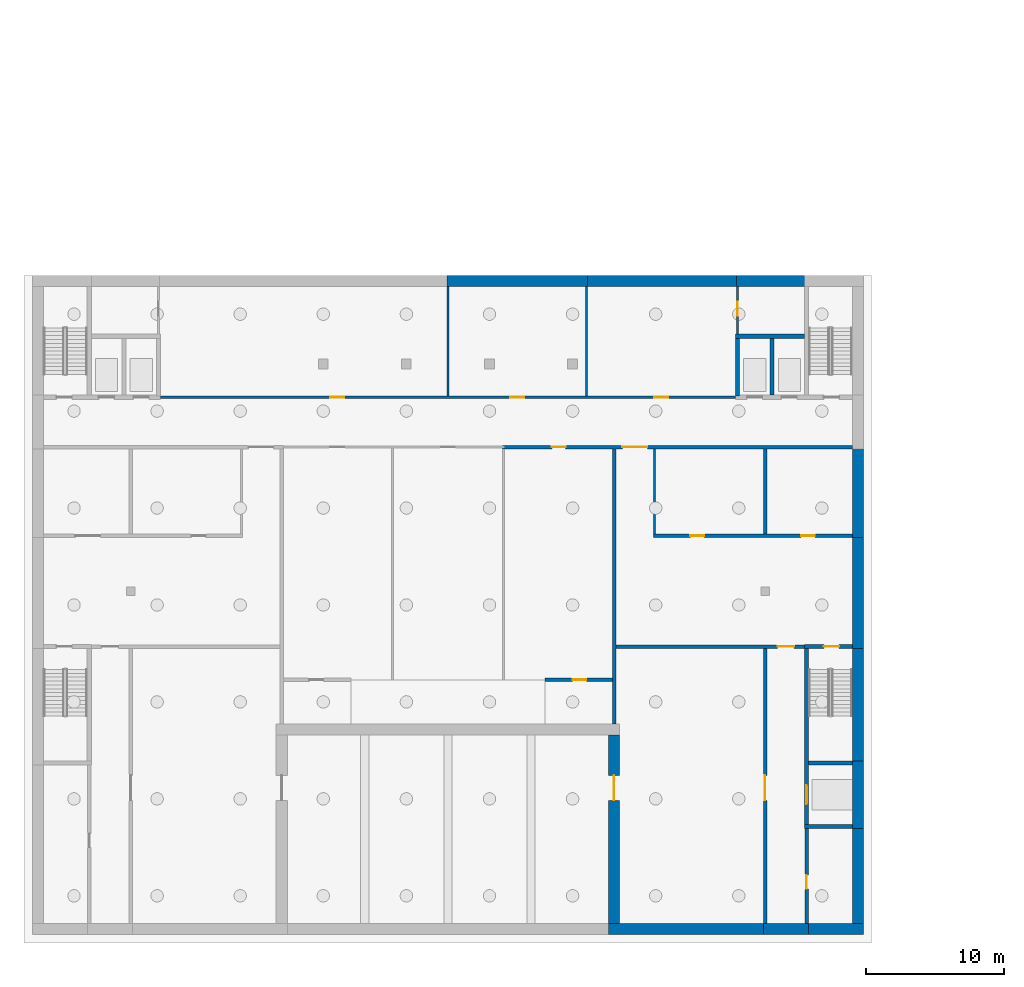
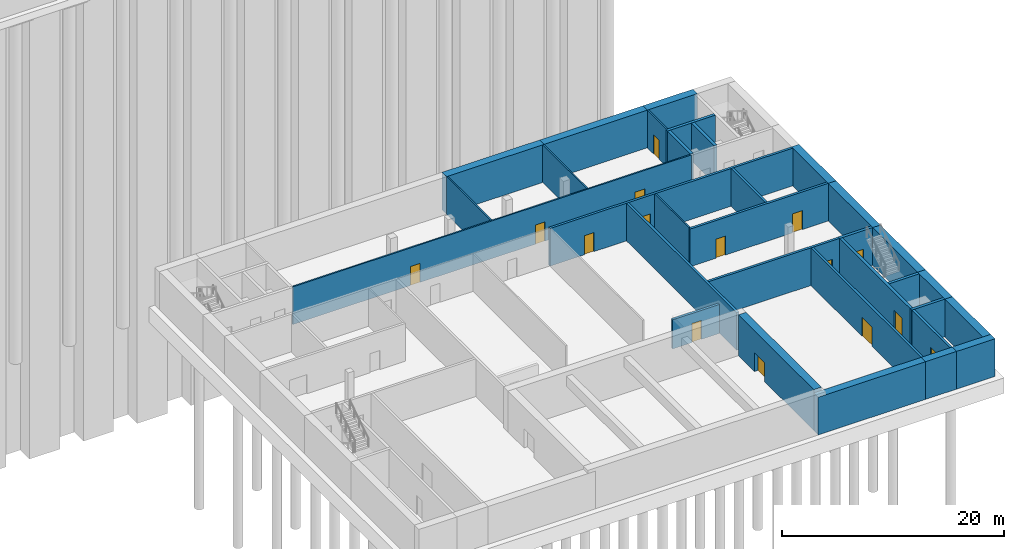
# One storey, part 7 of 23: 32 walls, 15 doors, 15 openings.
"""IFC4 building model written with IfcOpenShell, lengths in metres."""

from ifc_helpers import new_model, si_unit, direction, frame, frame_2d, origin, place, context, subcontext, project, spatial, rectangle, extrude, material, layer, layer_set, type_object, element, fill, save


model = new_model("IFC4")

# Units and contexts
model_context = context("Model", 3, precision=1e-05, world=origin(), true_north=direction((0.0, 1.0)))
body_context = subcontext(model_context, "Body", "Model", "MODEL_VIEW")
ifc_project = project(units=[si_unit("LENGTHUNIT", "METRE"), si_unit("AREAUNIT", "SQUARE_METRE"), si_unit("VOLUMEUNIT", "CUBIC_METRE"), si_unit("PLANEANGLEUNIT", "RADIAN"), si_unit("MASSUNIT", "GRAM", prefix="KILO")], contexts=[model_context])

# Site, building, storey
site_placement = place(None, origin())
site = spatial("IfcSite", under=ifc_project, at=site_placement, CompositionType="ELEMENT")
building_placement = place(site_placement, origin())
building = spatial("IfcBuilding", under=site, at=building_placement, Name="Kiln Ring Residences", CompositionType="ELEMENT")
storey_placement = place(building_placement, frame((0.0, 0.0, -4.5)))
storey = spatial("IfcBuildingStorey", under=building, at=storey_placement, Name="B1", CompositionType="ELEMENT", Elevation=-4.5)

# Wall, opening, door
ifc_material_1 = material(Name="Concrete C40/50", Category="concrete")
ifc_layer_1 = layer(ifc_material_1, 0.800048828125)
ifc_layer_set_1 = layer_set([ifc_layer_1], Name="Hall Board-marked concrete C40/50 hall wall 800 internal")
wall_type_1 = type_object("IfcWallType", Name="Hall Board-marked concrete C40/50 hall wall 800 internal", PredefinedType="SOLIDWALL", material=ifc_layer_set_1)
wall_1_placement = place(storey_placement, frame((12.0, -159.199951171875, 0.0), z_axis=(0.0, 0.0, 1.0), x_axis=(0.0, 1.0, 0.0)))
wall_1 = element("IfcWall", 1, at=wall_1_placement, inside=storey, type_object=wall_type_1, Name="Hall wall B1 56", PredefinedType="SOLIDWALL", context=body_context, shape_type="SweptSolid", body=[
    extrude(rectangle(XDim=13.599853515625, YDim=0.800048828125, at=frame_2d((6.7998046875, 0.0))), origin(), (0.0, 0.0, 1.0), 4.5),
])
opening_1_placement = place(wall_1_placement, frame((8.89990234375, 0.0, 0.0)))
opening_1 = element("IfcOpeningElement", 2, at=opening_1_placement, cuts=wall_1, Name="Opening B1-33", PredefinedType="OPENING", context=body_context, shape_type="SweptSolid", body=[
    extrude(rectangle(XDim=1.800048828125, YDim=2.10009765625, at=frame_2d((0.89990234375, 1.050048828125))), frame((0.0, 0.409912109375, 0.0), z_axis=(0.0, -1.0, 0.0), x_axis=(1.0, 0.0, 0.0)), (0.0, 0.0, 1.0), 0.820068359375),
])
ifc_material_2 = material(Name="Steel door leaf", Category="steel")
door_type_1 = type_object("IfcDoorType", Name="Hall Double door 1800 x 2100", OperationType="DOUBLE_DOOR_SINGLE_SWING", PredefinedType="DOOR", material=ifc_material_2)
door_1_placement = place(opening_1_placement, origin())
door_1 = element("IfcDoor", 3, at=door_1_placement, inside=storey, type_object=door_type_1, Name="Hall door B1-33", OperationType="DOUBLE_DOOR_SINGLE_SWING", OverallHeight=2.10009765625, OverallWidth=1.800048828125, PredefinedType="DOOR", context=body_context, shape_type="SweptSolid", body=[
    extrude(rectangle(XDim=1.800048828125, YDim=2.10009765625, at=frame_2d((0.89990234375, 1.050048828125))), frame((0.0, 0.02490234375, 0.0), z_axis=(0.0, -1.0, 0.0), x_axis=(1.0, 0.0, 0.0)), (0.0, 0.0, 1.0), 0.050048828125),
])
fill(opening_1, door_1)

# Walls
ifc_material_3 = material(Name="Concrete C40/50", Category="concrete")
ifc_layer_2 = layer(ifc_material_3, 0.800048828125)
ifc_layer_set_2 = layer_set([ifc_layer_2], Name="Hall Exposed brick-faced reinforced concrete C40/50 wall 800")
wall_type_2 = type_object("IfcWallType", Name="Hall Exposed brick-faced reinforced concrete C40/50 wall 800", PredefinedType="SOLIDWALL", material=ifc_layer_set_2)
wall_2_placement = place(storey_placement, frame((11.60009765625, -159.60009765625, 0.0), z_axis=(0.0, 0.0, 1.0), x_axis=(1.0, 0.0, 0.0)))
element("IfcWall", 4, at=wall_2_placement, inside=storey, type_object=wall_type_2, Name="Hall wall B1 5", PredefinedType="SOLIDWALL", context=body_context, shape_type="SweptSolid", body=[
    extrude(rectangle(XDim=11.4248046875, YDim=0.800048828125, at=frame_2d((5.71240234375, 0.0))), origin(), (0.0, 0.0, 1.0), 4.14990234375),
])
wall_3_placement = place(storey_placement, frame((22.775146484375, -159.60009765625, 0.0), z_axis=(0.0, 0.0, 1.0), x_axis=(1.0, 0.0, 0.0)))
element("IfcWall", 5, at=wall_3_placement, inside=storey, type_object=wall_type_2, Name="Hall wall B1 6", PredefinedType="SOLIDWALL", context=body_context, shape_type="SweptSolid", body=[
    extrude(rectangle(XDim=3.249755859375, YDim=0.800048828125, at=frame_2d((1.625, 0.0))), origin(), (0.0, 0.0, 1.0), 4.14990234375),
])
wall_4_placement = place(storey_placement, frame((25.775146484375, -159.60009765625, 0.0), z_axis=(0.0, 0.0, 1.0), x_axis=(1.0, 0.0, 0.0)))
element("IfcWall", 6, at=wall_4_placement, inside=storey, type_object=wall_type_2, Name="Hall wall B1 7", PredefinedType="SOLIDWALL", context=body_context, shape_type="SweptSolid", body=[
    extrude(rectangle(XDim=4.224853515625, YDim=0.800048828125, at=frame_2d((2.1123046875, 0.0))), origin(), (0.0, 0.0, 1.0), 4.14990234375),
])
wall_5_placement = place(storey_placement, frame((-0.074951171875, -112.800048828125, 0.0), z_axis=(0.0, 0.0, 1.0), x_axis=(1.0, 0.0, 0.0)))
element("IfcWall", 7, at=wall_5_placement, inside=storey, type_object=wall_type_2, Name="Hall wall B1 31", PredefinedType="SOLIDWALL", context=body_context, shape_type="SweptSolid", body=[
    extrude(rectangle(XDim=10.14990234375, YDim=0.800048828125, at=frame_2d((5.074951171875, 0.0))), origin(), (0.0, 0.0, 1.0), 4.14990234375),
])
wall_6_placement = place(storey_placement, frame((9.925048828125, -112.800048828125, 0.0), z_axis=(0.0, 0.0, 1.0), x_axis=(1.0, 0.0, 0.0)))
element("IfcWall", 8, at=wall_6_placement, inside=storey, type_object=wall_type_2, Name="Hall wall B1 32", PredefinedType="SOLIDWALL", context=body_context, shape_type="SweptSolid", body=[
    extrude(rectangle(XDim=11.0498046875, YDim=0.800048828125, at=frame_2d((5.52490234375, 0.0))), origin(), (0.0, 0.0, 1.0), 4.14990234375),
])
wall_7_placement = place(storey_placement, frame((20.8251953125, -112.800048828125, 0.0), z_axis=(0.0, 0.0, 1.0), x_axis=(1.0, 0.0, 0.0)))
element("IfcWall", 9, at=wall_7_placement, inside=storey, type_object=wall_type_2, Name="Hall wall B1 33", PredefinedType="SOLIDWALL", context=body_context, shape_type="SweptSolid", body=[
    extrude(rectangle(XDim=5.224609375, YDim=0.800048828125, at=frame_2d((2.6123046875, 0.0))), origin(), (0.0, 0.0, 1.0), 4.14990234375),
])
wall_8_placement = place(storey_placement, frame((29.60009765625, -152.050048828125, 0.0), z_axis=(0.0, 0.0, 1.0), x_axis=(0.0, -1.0, 0.0)))
element("IfcWall", 10, at=wall_8_placement, inside=storey, type_object=wall_type_2, Name="Hall wall B1 67", PredefinedType="SOLIDWALL", context=body_context, shape_type="SweptSolid", body=[
    extrude(rectangle(XDim=7.14990234375, YDim=0.800048828125, at=frame_2d((3.574951171875, 0.0))), origin(), (0.0, 0.0, 1.0), 4.14990234375),
])
wall_9_placement = place(storey_placement, frame((29.60009765625, -147.4501953125, 0.0), z_axis=(0.0, 0.0, 1.0), x_axis=(0.0, -1.0, 0.0)))
element("IfcWall", 11, at=wall_9_placement, inside=storey, type_object=wall_type_2, Name="Hall wall B1 68", PredefinedType="SOLIDWALL", context=body_context, shape_type="SweptSolid", body=[
    extrude(rectangle(XDim=4.899658203125, YDim=0.800048828125, at=frame_2d((2.44970703125, 0.0))), origin(), (0.0, 0.0, 1.0), 4.14990234375),
])
wall_10_placement = place(storey_placement, frame((29.60009765625, -139.050048828125, 0.0), z_axis=(0.0, 0.0, 1.0), x_axis=(0.0, -1.0, 0.0)))
element("IfcWall", 12, at=wall_10_placement, inside=storey, type_object=wall_type_2, Name="Hall wall B1 69", PredefinedType="SOLIDWALL", context=body_context, shape_type="SweptSolid", body=[
    extrude(rectangle(XDim=8.699951171875, YDim=0.800048828125, at=frame_2d((4.35009765625, 0.0))), origin(), (0.0, 0.0, 1.0), 4.14990234375),
])
wall_11_placement = place(storey_placement, frame((29.60009765625, -131.0751953125, 0.0), z_axis=(0.0, 0.0, 1.0), x_axis=(0.0, -1.0, 0.0)))
element("IfcWall", 13, at=wall_11_placement, inside=storey, type_object=wall_type_2, Name="Hall wall B1 70", PredefinedType="SOLIDWALL", context=body_context, shape_type="SweptSolid", body=[
    extrude(rectangle(XDim=8.274658203125, YDim=0.800048828125, at=frame_2d((4.13720703125, 0.0))), origin(), (0.0, 0.0, 1.0), 4.14990234375),
])
wall_12_placement = place(storey_placement, frame((29.60009765625, -124.675048828125, 0.0), z_axis=(0.0, 0.0, 1.0), x_axis=(0.0, -1.0, 0.0)))
element("IfcWall", 14, at=wall_12_placement, inside=storey, type_object=wall_type_2, Name="Hall wall B1 71", PredefinedType="SOLIDWALL", context=body_context, shape_type="SweptSolid", body=[
    extrude(rectangle(XDim=6.64990234375, YDim=0.800048828125, at=frame_2d((3.324951171875, 0.0))), origin(), (0.0, 0.0, 1.0), 4.14990234375),
])
ifc_material_4 = material(Name="Concrete C40/50", Category="concrete")
ifc_layer_3 = layer(ifc_material_4, 0.300048828125)
ifc_layer_set_3 = layer_set([ifc_layer_3], Name="Hall Reinforced concrete C40/50 core wall 300")
wall_type_3 = type_object("IfcWallType", Name="Hall Reinforced concrete C40/50 core wall 300", PredefinedType="SOLIDWALL", material=ifc_layer_set_3)
wall_13_placement = place(storey_placement, frame((25.75, -152.199951171875, 0.0), z_axis=(0.0, 0.0, 1.0), x_axis=(1.0, 0.0, 0.0)))
element("IfcWall", 15, at=wall_13_placement, inside=storey, type_object=wall_type_3, Name="Hall wall B1 8", PredefinedType="SOLIDWALL", context=body_context, shape_type="SweptSolid", body=[
    extrude(rectangle(XDim=3.449951171875, YDim=0.300048828125, at=frame_2d((1.72509765625, 0.0))), origin(), (0.0, 0.0, 1.0), 4.14990234375),
])
wall_14_placement = place(storey_placement, frame((26.050048828125, -147.60009765625, 0.0), z_axis=(0.0, 0.0, 1.0), x_axis=(1.0, 0.0, 0.0)))
element("IfcWall", 16, at=wall_14_placement, inside=storey, type_object=wall_type_3, Name="Hall wall B1 10", PredefinedType="SOLIDWALL", context=body_context, shape_type="SweptSolid", body=[
    extrude(rectangle(XDim=3.14990234375, YDim=0.300048828125, at=frame_2d((1.574951171875, 0.0))), origin(), (0.0, 0.0, 1.0), 4.14990234375),
])

# Wall, opening, door
wall_15_placement = place(storey_placement, frame((25.75, -139.199951171875, 0.0), z_axis=(0.0, 0.0, 1.0), x_axis=(1.0, 0.0, 0.0)))
wall_15 = element("IfcWall", 17, at=wall_15_placement, inside=storey, type_object=wall_type_3, Name="Hall wall B1 17", PredefinedType="SOLIDWALL", context=body_context, shape_type="SweptSolid", body=[
    extrude(rectangle(XDim=3.449951171875, YDim=0.300048828125, at=frame_2d((1.72509765625, 0.0))), origin(), (0.0, 0.0, 1.0), 4.14990234375),
])
opening_2_placement = place(wall_15_placement, frame((1.39990234375, 0.0, 0.0)))
opening_2 = element("IfcOpeningElement", 18, at=opening_2_placement, cuts=wall_15, Name="Opening B1-09", PredefinedType="OPENING", context=body_context, shape_type="SweptSolid", body=[
    extrude(rectangle(XDim=1.10009765625, YDim=2.10009765625, at=frame_2d((0.550048828125, 1.050048828125))), frame((0.0, 0.159912109375, 0.0), z_axis=(0.0, -1.0, 0.0), x_axis=(1.0, 0.0, 0.0)), (0.0, 0.0, 1.0), 0.320068359375),
])
ifc_material_5 = material(Name="Steel door leaf", Category="steel")
door_type_2 = type_object("IfcDoorType", Name="Hall Stair door 1100 x 2100", OperationType="SINGLE_SWING_LEFT", PredefinedType="DOOR", material=ifc_material_5)
door_2_placement = place(opening_2_placement, origin())
door_2 = element("IfcDoor", 19, at=door_2_placement, inside=storey, type_object=door_type_2, Name="Hall door B1-09", OperationType="SINGLE_SWING_LEFT", OverallHeight=2.10009765625, OverallWidth=1.10009765625, PredefinedType="DOOR", context=body_context, shape_type="SweptSolid", body=[
    extrude(rectangle(XDim=1.10009765625, YDim=2.10009765625, at=frame_2d((0.550048828125, 1.050048828125))), frame((0.0, 0.02490234375, 0.0), z_axis=(0.0, -1.0, 0.0), x_axis=(1.0, 0.0, 0.0)), (0.0, 0.0, 1.0), 0.050048828125),
])
fill(opening_2, door_2)

# Walls
wall_16_placement = place(storey_placement, frame((20.75, -116.800048828125, 0.0), z_axis=(0.0, 0.0, 1.0), x_axis=(1.0, 0.0, 0.0)))
element("IfcWall", 20, at=wall_16_placement, inside=storey, type_object=wall_type_3, Name="Hall wall B1 27", PredefinedType="SOLIDWALL", context=body_context, shape_type="SweptSolid", body=[
    extrude(rectangle(XDim=5.0, YDim=0.300048828125, at=frame_2d((2.5, 0.0))), origin(), (0.0, 0.0, 1.0), 4.14990234375),
])
wall_17_placement = place(storey_placement, frame((20.89990234375, -121.125, 0.0), z_axis=(0.0, 0.0, 1.0), x_axis=(0.0, 1.0, 0.0)))
element("IfcWall", 21, at=wall_17_placement, inside=storey, type_object=wall_type_3, Name="Hall wall B1 59", PredefinedType="SOLIDWALL", context=body_context, shape_type="SweptSolid", body=[
    extrude(rectangle(XDim=4.175048828125, YDim=0.300048828125, at=frame_2d((2.08740234375, 0.0))), origin(), (0.0, 0.0, 1.0), 4.14990234375),
])
wall_18_placement = place(storey_placement, frame((23.39990234375, -121.050048828125, 0.0), z_axis=(0.0, 0.0, 1.0), x_axis=(0.0, 1.0, 0.0)))
element("IfcWall", 22, at=wall_18_placement, inside=storey, type_object=wall_type_3, Name="Hall wall B1 63", PredefinedType="SOLIDWALL", context=body_context, shape_type="SweptSolid", body=[
    extrude(rectangle(XDim=4.10009765625, YDim=0.300048828125, at=frame_2d((2.050048828125, 0.0))), origin(), (0.0, 0.0, 1.0), 4.14990234375),
])

# Wall, opening, door
wall_19_placement = place(storey_placement, frame((25.89990234375, -152.050048828125, 0.0), z_axis=(0.0, 0.0, 1.0), x_axis=(0.0, 1.0, 0.0)))
wall_19 = element("IfcWall", 23, at=wall_19_placement, inside=storey, type_object=wall_type_3, Name="Hall wall B1 65", PredefinedType="SOLIDWALL", context=body_context, shape_type="SweptSolid", body=[
    extrude(rectangle(XDim=12.824951171875, YDim=0.300048828125, at=frame_2d((6.41259765625, 0.0))), origin(), (0.0, 0.0, 1.0), 4.14990234375),
])
opening_3_placement = place(wall_19_placement, frame((1.449951171875, 0.0, 0.0)))
opening_3 = element("IfcOpeningElement", 24, at=opening_3_placement, cuts=wall_19, Name="Opening B1-05", PredefinedType="OPENING", context=body_context, shape_type="SweptSolid", body=[
    extrude(rectangle(XDim=1.39990234375, YDim=2.199951171875, at=frame_2d((0.699951171875, 1.10009765625))), frame((0.0, 0.159912109375, 0.0), z_axis=(0.0, -1.0, 0.0), x_axis=(1.0, 0.0, 0.0)), (0.0, 0.0, 1.0), 0.320068359375),
])
ifc_material_6 = material(Name="Steel door leaf", Category="steel")
door_type_3 = type_object("IfcDoorType", Name="Hall Goods lift landing door 1400 x 2200", OperationType="DOUBLE_DOOR_SLIDING", PredefinedType="DOOR", material=ifc_material_6)
door_3_placement = place(opening_3_placement, origin())
door_3 = element("IfcDoor", 25, at=door_3_placement, inside=storey, type_object=door_type_3, Name="Hall door B1-05", OperationType="DOUBLE_DOOR_SLIDING", OverallHeight=2.199951171875, OverallWidth=1.39990234375, PredefinedType="DOOR", context=body_context, shape_type="SweptSolid", body=[
    extrude(rectangle(XDim=1.39990234375, YDim=2.199951171875, at=frame_2d((0.699951171875, 1.10009765625))), frame((0.0, 0.02490234375, 0.0), z_axis=(0.0, -1.0, 0.0), x_axis=(1.0, 0.0, 0.0)), (0.0, 0.0, 1.0), 0.050048828125),
])
fill(opening_3, door_3)

ifc_material_7 = material(Name="Concrete C40/50", Category="concrete")
ifc_layer_4 = layer(ifc_material_7, 0.25)
ifc_layer_set_4 = layer_set([ifc_layer_4], Name="Hall Reinforced concrete C40/50 wall 250")
wall_type_4 = type_object("IfcWallType", Name="Hall Reinforced concrete C40/50 wall 250", PredefinedType="SOLIDWALL", material=ifc_layer_set_4)
wall_20_placement = place(storey_placement, frame((7.0, -141.60009765625, 0.0), z_axis=(0.0, 0.0, 1.0), x_axis=(1.0, 0.0, 0.0)))
wall_20 = element("IfcWall", 26, at=wall_20_placement, inside=storey, type_object=wall_type_4, Name="Hall wall B1 13", PredefinedType="SOLIDWALL", context=body_context, shape_type="SweptSolid", body=[
    extrude(rectangle(XDim=4.875, YDim=0.25, at=frame_2d((2.4375, 0.0))), origin(), (0.0, 0.0, 1.0), 3.199951171875),
])
opening_4_placement = place(wall_20_placement, frame((2.0, 0.0, 0.0)))
opening_4 = element("IfcOpeningElement", 27, at=opening_4_placement, cuts=wall_20, Name="Opening B1-31", PredefinedType="OPENING", context=body_context, shape_type="SweptSolid", body=[
    extrude(rectangle(XDim=1.0, YDim=2.10009765625, at=frame_2d((0.5, 1.050048828125))), frame((0.0, 0.135009765625, 0.0), z_axis=(0.0, -1.0, 0.0), x_axis=(1.0, 0.0, 0.0)), (0.0, 0.0, 1.0), 0.27001953125),
])
ifc_material_8 = material(Name="Steel door leaf", Category="steel")
door_type_4 = type_object("IfcDoorType", Name="Hall Single door 1000 x 2100", OperationType="SINGLE_SWING_LEFT", PredefinedType="DOOR", material=ifc_material_8)
door_4_placement = place(opening_4_placement, origin())
door_4 = element("IfcDoor", 28, at=door_4_placement, inside=storey, type_object=door_type_4, Name="Hall door B1-31", OperationType="SINGLE_SWING_LEFT", OverallHeight=2.10009765625, OverallWidth=1.0, PredefinedType="DOOR", context=body_context, shape_type="SweptSolid", body=[
    extrude(rectangle(XDim=1.0, YDim=2.10009765625, at=frame_2d((0.5, 1.050048828125))), frame((0.0, 0.02490234375, 0.0), z_axis=(0.0, -1.0, 0.0), x_axis=(1.0, 0.0, 0.0)), (0.0, 0.0, 1.0), 0.050048828125),
])
fill(opening_4, door_4)

wall_21_placement = place(storey_placement, frame((12.125, -139.199951171875, 0.0), z_axis=(0.0, 0.0, 1.0), x_axis=(1.0, 0.0, 0.0)))
wall_21 = element("IfcWall", 29, at=wall_21_placement, inside=storey, type_object=wall_type_4, Name="Hall wall B1 16", PredefinedType="SOLIDWALL", context=body_context, shape_type="SweptSolid", body=[
    extrude(rectangle(XDim=13.625, YDim=0.25, at=frame_2d((6.8125, 0.0))), origin(), (0.0, 0.0, 1.0), 4.14990234375),
])
opening_5_placement = place(wall_21_placement, frame((11.675048828125, 0.0, 0.0)))
opening_5 = element("IfcOpeningElement", 30, at=opening_5_placement, cuts=wall_21, Name="Opening B1-22", PredefinedType="OPENING", context=body_context, shape_type="SweptSolid", body=[
    extrude(rectangle(XDim=1.199951171875, YDim=2.10009765625, at=frame_2d((0.60009765625, 1.050048828125))), frame((0.0, 0.135009765625, 0.0), z_axis=(0.0, -1.0, 0.0), x_axis=(1.0, 0.0, 0.0)), (0.0, 0.0, 1.0), 0.27001953125),
])
ifc_material_9 = material(Name="Steel door leaf", Category="steel")
door_type_5 = type_object("IfcDoorType", Name="Hall Single door 1200 x 2100", OperationType="SINGLE_SWING_LEFT", PredefinedType="DOOR", material=ifc_material_9)
door_5_placement = place(opening_5_placement, origin())
door_5 = element("IfcDoor", 31, at=door_5_placement, inside=storey, type_object=door_type_5, Name="Hall door B1-22", OperationType="SINGLE_SWING_RIGHT", OverallHeight=2.10009765625, OverallWidth=1.199951171875, PredefinedType="DOOR", context=body_context, shape_type="SweptSolid", body=[
    extrude(rectangle(XDim=1.199951171875, YDim=2.10009765625, at=frame_2d((0.60009765625, 1.050048828125))), frame((0.0, 0.02490234375, 0.0), z_axis=(0.0, -1.0, 0.0), x_axis=(1.0, 0.0, 0.0)), (0.0, 0.0, 1.0), 0.050048828125),
])
fill(opening_5, door_5)

# Wall, openings, doors
wall_22_placement = place(storey_placement, frame((14.824951171875, -131.199951171875, 0.0), z_axis=(0.0, 0.0, 1.0), x_axis=(1.0, 0.0, 0.0)))
wall_22 = element("IfcWall", 32, at=wall_22_placement, inside=storey, type_object=wall_type_4, Name="Hall wall B1 19", PredefinedType="SOLIDWALL", context=body_context, shape_type="SweptSolid", body=[
    extrude(rectangle(XDim=14.375, YDim=0.25, at=frame_2d((7.1875, 0.0))), origin(), (0.0, 0.0, 1.0), 4.14990234375),
])
opening_6_placement = place(wall_22_placement, frame((2.675048828125, 0.0, 0.0)))
opening_6 = element("IfcOpeningElement", 33, at=opening_6_placement, cuts=wall_22, Name="Opening B1-19", PredefinedType="OPENING", context=body_context, shape_type="SweptSolid", body=[
    extrude(rectangle(XDim=1.0, YDim=2.10009765625, at=frame_2d((0.5, 1.050048828125))), frame((0.0, 0.135009765625, 0.0), z_axis=(0.0, -1.0, 0.0), x_axis=(1.0, 0.0, 0.0)), (0.0, 0.0, 1.0), 0.27001953125),
])
opening_7_placement = place(wall_22_placement, frame((10.675048828125, 0.0, 0.0)))
opening_7 = element("IfcOpeningElement", 34, at=opening_7_placement, cuts=wall_22, Name="Opening B1-20", PredefinedType="OPENING", context=body_context, shape_type="SweptSolid", body=[
    extrude(rectangle(XDim=1.0, YDim=2.10009765625, at=frame_2d((0.5, 1.050048828125))), frame((0.0, 0.135009765625, 0.0), z_axis=(0.0, -1.0, 0.0), x_axis=(1.0, 0.0, 0.0)), (0.0, 0.0, 1.0), 0.27001953125),
])
door_6_placement = place(opening_6_placement, origin())
door_6 = element("IfcDoor", 35, at=door_6_placement, inside=storey, type_object=door_type_4, Name="Hall door B1-19", OperationType="SINGLE_SWING_LEFT", OverallHeight=2.10009765625, OverallWidth=1.0, PredefinedType="DOOR", context=body_context, shape_type="SweptSolid", body=[
    extrude(rectangle(XDim=1.0, YDim=2.10009765625, at=frame_2d((0.5, 1.050048828125))), frame((0.0, 0.02490234375, 0.0), z_axis=(0.0, -1.0, 0.0), x_axis=(1.0, 0.0, 0.0)), (0.0, 0.0, 1.0), 0.050048828125),
])
fill(opening_6, door_6)
door_7_placement = place(opening_7_placement, origin())
door_7 = element("IfcDoor", 36, at=door_7_placement, inside=storey, type_object=door_type_4, Name="Hall door B1-20", OperationType="SINGLE_SWING_RIGHT", OverallHeight=2.10009765625, OverallWidth=1.0, PredefinedType="DOOR", context=body_context, shape_type="SweptSolid", body=[
    extrude(rectangle(XDim=1.0, YDim=2.10009765625, at=frame_2d((0.5, 1.050048828125))), frame((0.0, 0.02490234375, 0.0), z_axis=(0.0, -1.0, 0.0), x_axis=(1.0, 0.0, 0.0)), (0.0, 0.0, 1.0), 0.050048828125),
])
fill(opening_7, door_7)

wall_23_placement = place(storey_placement, frame((3.925048828125, -124.800048828125, 0.0), z_axis=(0.0, 0.0, 1.0), x_axis=(1.0, 0.0, 0.0)))
wall_23 = element("IfcWall", 37, at=wall_23_placement, inside=storey, type_object=wall_type_4, Name="Hall wall B1 22", PredefinedType="SOLIDWALL", context=body_context, shape_type="SweptSolid", body=[
    extrude(rectangle(XDim=25.27490234375, YDim=0.25, at=frame_2d((12.637451171875, 0.0))), origin(), (0.0, 0.0, 1.0), 4.14990234375),
])
opening_8_placement = place(wall_23_placement, frame((8.675048828125, 0.0, 0.0)))
opening_8 = element("IfcOpeningElement", 38, at=opening_8_placement, cuts=wall_23, Name="Opening B1-16", PredefinedType="OPENING", context=body_context, shape_type="SweptSolid", body=[
    extrude(rectangle(XDim=1.800048828125, YDim=2.10009765625, at=frame_2d((0.89990234375, 1.050048828125))), frame((0.0, 0.135009765625, 0.0), z_axis=(0.0, -1.0, 0.0), x_axis=(1.0, 0.0, 0.0)), (0.0, 0.0, 1.0), 0.27001953125),
])
opening_9_placement = place(wall_23_placement, frame((3.574951171875, 0.0, 0.0)))
opening_9 = element("IfcOpeningElement", 39, at=opening_9_placement, cuts=wall_23, Name="Opening B1-29", PredefinedType="OPENING", context=body_context, shape_type="SweptSolid", body=[
    extrude(rectangle(XDim=1.0, YDim=2.10009765625, at=frame_2d((0.5, 1.050048828125))), frame((0.0, 0.135009765625, 0.0), z_axis=(0.0, -1.0, 0.0), x_axis=(1.0, 0.0, 0.0)), (0.0, 0.0, 1.0), 0.27001953125),
])
door_8_placement = place(opening_8_placement, origin())
door_8 = element("IfcDoor", 40, at=door_8_placement, inside=storey, type_object=door_type_1, Name="Hall door B1-16", OperationType="DOUBLE_DOOR_SINGLE_SWING", OverallHeight=2.10009765625, OverallWidth=1.800048828125, PredefinedType="DOOR", context=body_context, shape_type="SweptSolid", body=[
    extrude(rectangle(XDim=1.800048828125, YDim=2.10009765625, at=frame_2d((0.89990234375, 1.050048828125))), frame((0.0, 0.02490234375, 0.0), z_axis=(0.0, -1.0, 0.0), x_axis=(1.0, 0.0, 0.0)), (0.0, 0.0, 1.0), 0.050048828125),
])
fill(opening_8, door_8)
door_9_placement = place(opening_9_placement, origin())
door_9 = element("IfcDoor", 41, at=door_9_placement, inside=storey, type_object=door_type_4, Name="Hall door B1-29", OperationType="SINGLE_SWING_LEFT", OverallHeight=2.10009765625, OverallWidth=1.0, PredefinedType="DOOR", context=body_context, shape_type="SweptSolid", body=[
    extrude(rectangle(XDim=1.0, YDim=2.10009765625, at=frame_2d((0.5, 1.050048828125))), frame((0.0, 0.02490234375, 0.0), z_axis=(0.0, -1.0, 0.0), x_axis=(1.0, 0.0, 0.0)), (0.0, 0.0, 1.0), 0.050048828125),
])
fill(opening_9, door_9)

# Wall
wall_24_placement = place(storey_placement, frame((12.0, -144.800048828125, 0.0), z_axis=(0.0, 0.0, 1.0), x_axis=(0.0, 1.0, 0.0)))
element("IfcWall", 42, at=wall_24_placement, inside=storey, type_object=wall_type_4, Name="Hall wall B1 57", PredefinedType="SOLIDWALL", context=body_context, shape_type="SweptSolid", body=[
    extrude(rectangle(XDim=19.875, YDim=0.25, at=frame_2d((9.9375, 0.0))), origin(), (0.0, 0.0, 1.0), 4.14990234375),
])

# Wall, opening, door
wall_25_placement = place(storey_placement, frame((22.89990234375, -159.199951171875, 0.0), z_axis=(0.0, 0.0, 1.0), x_axis=(0.0, 1.0, 0.0)))
wall_25 = element("IfcWall", 43, at=wall_25_placement, inside=storey, type_object=wall_type_4, Name="Hall wall B1 61", PredefinedType="SOLIDWALL", context=body_context, shape_type="SweptSolid", body=[
    extrude(rectangle(XDim=19.875, YDim=0.25, at=frame_2d((9.9375, 0.0))), origin(), (0.0, 0.0, 1.0), 4.14990234375),
])
opening_10_placement = place(wall_25_placement, frame((8.89990234375, 0.0, 0.0)))
opening_10 = element("IfcOpeningElement", 44, at=opening_10_placement, cuts=wall_25, Name="Opening B1-25", PredefinedType="OPENING", context=body_context, shape_type="SweptSolid", body=[
    extrude(rectangle(XDim=1.800048828125, YDim=2.10009765625, at=frame_2d((0.89990234375, 1.050048828125))), frame((0.0, 0.135009765625, 0.0), z_axis=(0.0, -1.0, 0.0), x_axis=(1.0, 0.0, 0.0)), (0.0, 0.0, 1.0), 0.27001953125),
])
door_10_placement = place(opening_10_placement, origin())
door_10 = element("IfcDoor", 45, at=door_10_placement, inside=storey, type_object=door_type_1, Name="Hall door B1-25", OperationType="DOUBLE_DOOR_SINGLE_SWING", OverallHeight=2.10009765625, OverallWidth=1.800048828125, PredefinedType="DOOR", context=body_context, shape_type="SweptSolid", body=[
    extrude(rectangle(XDim=1.800048828125, YDim=2.10009765625, at=frame_2d((0.89990234375, 1.050048828125))), frame((0.0, 0.02490234375, 0.0), z_axis=(0.0, -1.0, 0.0), x_axis=(1.0, 0.0, 0.0)), (0.0, 0.0, 1.0), 0.050048828125),
])
fill(opening_10, door_10)

# Wall
wall_26_placement = place(storey_placement, frame((22.89990234375, -131.074951171875, 0.0), z_axis=(0.0, 0.0, 1.0), x_axis=(0.0, 1.0, 0.0)))
element("IfcWall", 46, at=wall_26_placement, inside=storey, type_object=wall_type_4, Name="Hall wall B1 62", PredefinedType="SOLIDWALL", context=body_context, shape_type="SweptSolid", body=[
    extrude(rectangle(XDim=6.14990234375, YDim=0.25, at=frame_2d((3.074951171875, 0.0))), origin(), (0.0, 0.0, 1.0), 4.14990234375),
])

# Wall, opening, door
wall_27_placement = place(storey_placement, frame((25.89990234375, -159.199951171875, 0.0), z_axis=(0.0, 0.0, 1.0), x_axis=(0.0, 1.0, 0.0)))
wall_27 = element("IfcWall", 47, at=wall_27_placement, inside=storey, type_object=wall_type_4, Name="Hall wall B1 64", PredefinedType="SOLIDWALL", context=body_context, shape_type="SweptSolid", body=[
    extrude(rectangle(XDim=6.849853515625, YDim=0.25, at=frame_2d((3.4248046875, 0.0))), origin(), (0.0, 0.0, 1.0), 4.14990234375),
])
opening_11_placement = place(wall_27_placement, frame((2.5, 0.0, 0.0)))
opening_11 = element("IfcOpeningElement", 48, at=opening_11_placement, cuts=wall_27, Name="Opening B1-26", PredefinedType="OPENING", context=body_context, shape_type="SweptSolid", body=[
    extrude(rectangle(XDim=1.0, YDim=2.10009765625, at=frame_2d((0.5, 1.050048828125))), frame((0.0, 0.135009765625, 0.0), z_axis=(0.0, -1.0, 0.0), x_axis=(1.0, 0.0, 0.0)), (0.0, 0.0, 1.0), 0.27001953125),
])
door_11_placement = place(opening_11_placement, origin())
door_11 = element("IfcDoor", 49, at=door_11_placement, inside=storey, type_object=door_type_4, Name="Hall door B1-26", OperationType="SINGLE_SWING_RIGHT", OverallHeight=2.10009765625, OverallWidth=1.0, PredefinedType="DOOR", context=body_context, shape_type="SweptSolid", body=[
    extrude(rectangle(XDim=1.0, YDim=2.10009765625, at=frame_2d((0.5, 1.050048828125))), frame((0.0, 0.02490234375, 0.0), z_axis=(0.0, -1.0, 0.0), x_axis=(1.0, 0.0, 0.0)), (0.0, 0.0, 1.0), 0.050048828125),
])
fill(opening_11, door_11)

# Wall, openings, doors
ifc_material_10 = material(Name="Masonry blockwork f'm 10 MPa", Category="masonry")
ifc_layer_5 = layer(ifc_material_10, 0.14990234375)
ifc_layer_set_5 = layer_set([ifc_layer_5], Name="Hall blockwork partition 150")
wall_type_5 = type_object("IfcWallType", Name="Hall blockwork partition 150", PredefinedType="PARTITIONING", material=ifc_layer_set_5)
wall_28_placement = place(storey_placement, frame((-20.75, -121.199951171875, 0.0), z_axis=(0.0, 0.0, 1.0), x_axis=(1.0, 0.0, 0.0)))
wall_28 = element("IfcWall", 50, at=wall_28_placement, inside=storey, type_object=wall_type_5, Name="Hall wall B1 24", PredefinedType="PARTITIONING", context=body_context, shape_type="SweptSolid", body=[
    extrude(rectangle(XDim=41.5, YDim=0.14990234375, at=frame_2d((20.75, 0.0))), origin(), (0.0, 0.0, 1.0), 4.14990234375),
])
opening_12_placement = place(wall_28_placement, frame((12.25, 0.0, 0.0)))
opening_12 = element("IfcOpeningElement", 51, at=opening_12_placement, cuts=wall_28, Name="Opening B1-10", PredefinedType="OPENING", context=body_context, shape_type="SweptSolid", body=[
    extrude(rectangle(XDim=1.0, YDim=2.10009765625, at=frame_2d((0.5, 1.050048828125))), frame((0.0, 0.0849609375, 0.0), z_axis=(0.0, -1.0, 0.0), x_axis=(1.0, 0.0, 0.0)), (0.0, 0.0, 1.0), 0.169921875),
])
opening_13_placement = place(wall_28_placement, frame((25.25, 0.0, 0.0)))
opening_13 = element("IfcOpeningElement", 52, at=opening_13_placement, cuts=wall_28, Name="Opening B1-11", PredefinedType="OPENING", context=body_context, shape_type="SweptSolid", body=[
    extrude(rectangle(XDim=1.0, YDim=2.10009765625, at=frame_2d((0.5, 1.050048828125))), frame((0.0, 0.0849609375, 0.0), z_axis=(0.0, -1.0, 0.0), x_axis=(1.0, 0.0, 0.0)), (0.0, 0.0, 1.0), 0.169921875),
])
opening_14_placement = place(wall_28_placement, frame((35.64990234375, 0.0, 0.0)))
opening_14 = element("IfcOpeningElement", 53, at=opening_14_placement, cuts=wall_28, Name="Opening B1-12", PredefinedType="OPENING", context=body_context, shape_type="SweptSolid", body=[
    extrude(rectangle(XDim=1.0, YDim=2.10009765625, at=frame_2d((0.5, 1.050048828125))), frame((0.0, 0.0849609375, 0.0), z_axis=(0.0, -1.0, 0.0), x_axis=(1.0, 0.0, 0.0)), (0.0, 0.0, 1.0), 0.169921875),
])
door_12_placement = place(opening_12_placement, origin())
door_12 = element("IfcDoor", 54, at=door_12_placement, inside=storey, type_object=door_type_4, Name="Hall door B1-10", OperationType="SINGLE_SWING_RIGHT", OverallHeight=2.10009765625, OverallWidth=1.0, PredefinedType="DOOR", context=body_context, shape_type="SweptSolid", body=[
    extrude(rectangle(XDim=1.0, YDim=2.10009765625, at=frame_2d((0.5, 1.050048828125))), frame((0.0, 0.02490234375, 0.0), z_axis=(0.0, -1.0, 0.0), x_axis=(1.0, 0.0, 0.0)), (0.0, 0.0, 1.0), 0.050048828125),
])
fill(opening_12, door_12)
door_13_placement = place(opening_13_placement, origin())
door_13 = element("IfcDoor", 55, at=door_13_placement, inside=storey, type_object=door_type_4, Name="Hall door B1-11", OperationType="SINGLE_SWING_LEFT", OverallHeight=2.10009765625, OverallWidth=1.0, PredefinedType="DOOR", context=body_context, shape_type="SweptSolid", body=[
    extrude(rectangle(XDim=1.0, YDim=2.10009765625, at=frame_2d((0.5, 1.050048828125))), frame((0.0, 0.02490234375, 0.0), z_axis=(0.0, -1.0, 0.0), x_axis=(1.0, 0.0, 0.0)), (0.0, 0.0, 1.0), 0.050048828125),
])
fill(opening_13, door_13)
door_14_placement = place(opening_14_placement, origin())
door_14 = element("IfcDoor", 56, at=door_14_placement, inside=storey, type_object=door_type_4, Name="Hall door B1-12", OperationType="SINGLE_SWING_RIGHT", OverallHeight=2.10009765625, OverallWidth=1.0, PredefinedType="DOOR", context=body_context, shape_type="SweptSolid", body=[
    extrude(rectangle(XDim=1.0, YDim=2.10009765625, at=frame_2d((0.5, 1.050048828125))), frame((0.0, 0.02490234375, 0.0), z_axis=(0.0, -1.0, 0.0), x_axis=(1.0, 0.0, 0.0)), (0.0, 0.0, 1.0), 0.050048828125),
])
fill(opening_14, door_14)

# Walls
for number, where, z_axis, x_axis, name in (
    (57, (0.0, -121.125, 0.0), (0.0, 0.0, 1.0), (0.0, 1.0, 0.0), "Hall wall B1 53"),
    (58, (10.0, -121.125, 0.0), (0.0, 0.0, 1.0), (0.0, 1.0, 0.0), "Hall wall B1 55"),
):
    element("IfcWall", number, at=place(storey_placement, frame(where, z_axis=z_axis, x_axis=x_axis)), inside=storey, type_object=wall_type_5, Name=name, PredefinedType="PARTITIONING", context=body_context, shape_type="SweptSolid", body=[
        extrude(rectangle(XDim=7.925048828125, YDim=0.14990234375, at=frame_2d((3.96240234375, 0.0))), origin(), (0.0, 0.0, 1.0), 4.14990234375),
    ])
wall_29_placement = place(storey_placement, frame((14.89990234375, -131.074951171875, 0.0), z_axis=(0.0, 0.0, 1.0), x_axis=(0.0, 1.0, 0.0)))
element("IfcWall", 59, at=wall_29_placement, inside=storey, type_object=wall_type_5, Name="Hall wall B1 58", PredefinedType="PARTITIONING", context=body_context, shape_type="SweptSolid", body=[
    extrude(rectangle(XDim=6.14990234375, YDim=0.14990234375, at=frame_2d((3.074951171875, 0.0))), origin(), (0.0, 0.0, 1.0), 4.14990234375),
])

# Wall, opening, door
wall_30_placement = place(storey_placement, frame((20.89990234375, -116.64990234375, 0.0), z_axis=(0.0, 0.0, 1.0), x_axis=(0.0, 1.0, 0.0)))
wall_30 = element("IfcWall", 60, at=wall_30_placement, inside=storey, type_object=wall_type_5, Name="Hall wall B1 60", PredefinedType="PARTITIONING", context=body_context, shape_type="SweptSolid", body=[
    extrude(rectangle(XDim=3.449951171875, YDim=0.14990234375, at=frame_2d((1.72509765625, 0.0))), origin(), (0.0, 0.0, 1.0), 4.14990234375),
])
opening_15_placement = place(wall_30_placement, frame((1.35009765625, 0.0, 0.0)))
opening_15 = element("IfcOpeningElement", 61, at=opening_15_placement, cuts=wall_30, Name="Opening B1-14", PredefinedType="OPENING", context=body_context, shape_type="SweptSolid", body=[
    extrude(rectangle(XDim=1.0, YDim=2.10009765625, at=frame_2d((0.5, 1.050048828125))), frame((0.0, 0.0849609375, 0.0), z_axis=(0.0, -1.0, 0.0), x_axis=(1.0, 0.0, 0.0)), (0.0, 0.0, 1.0), 0.169921875),
])
door_15_placement = place(opening_15_placement, origin())
door_15 = element("IfcDoor", 62, at=door_15_placement, inside=storey, type_object=door_type_4, Name="Hall door B1-14", OperationType="SINGLE_SWING_RIGHT", OverallHeight=2.10009765625, OverallWidth=1.0, PredefinedType="DOOR", context=body_context, shape_type="SweptSolid", body=[
    extrude(rectangle(XDim=1.0, YDim=2.10009765625, at=frame_2d((0.5, 1.050048828125))), frame((0.0, 0.02490234375, 0.0), z_axis=(0.0, -1.0, 0.0), x_axis=(1.0, 0.0, 0.0)), (0.0, 0.0, 1.0), 0.050048828125),
])
fill(opening_15, door_15)

save(model, "model.ifc")
